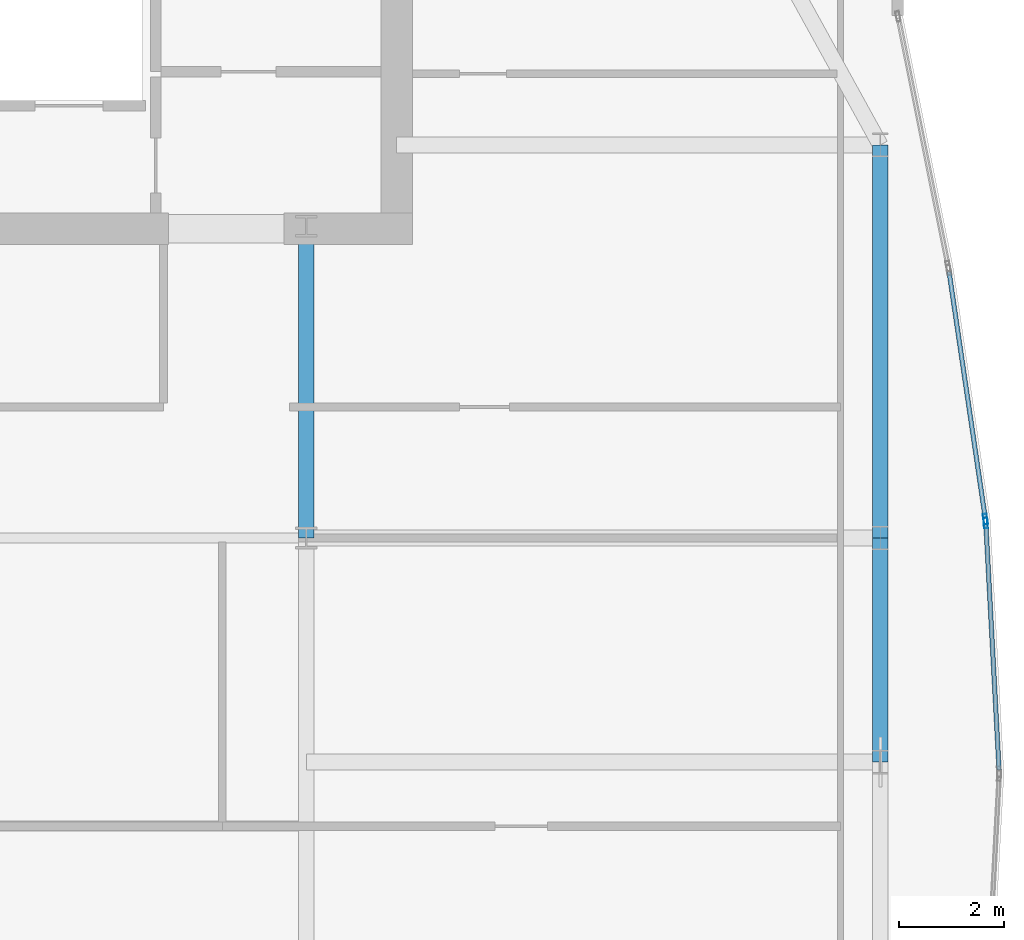
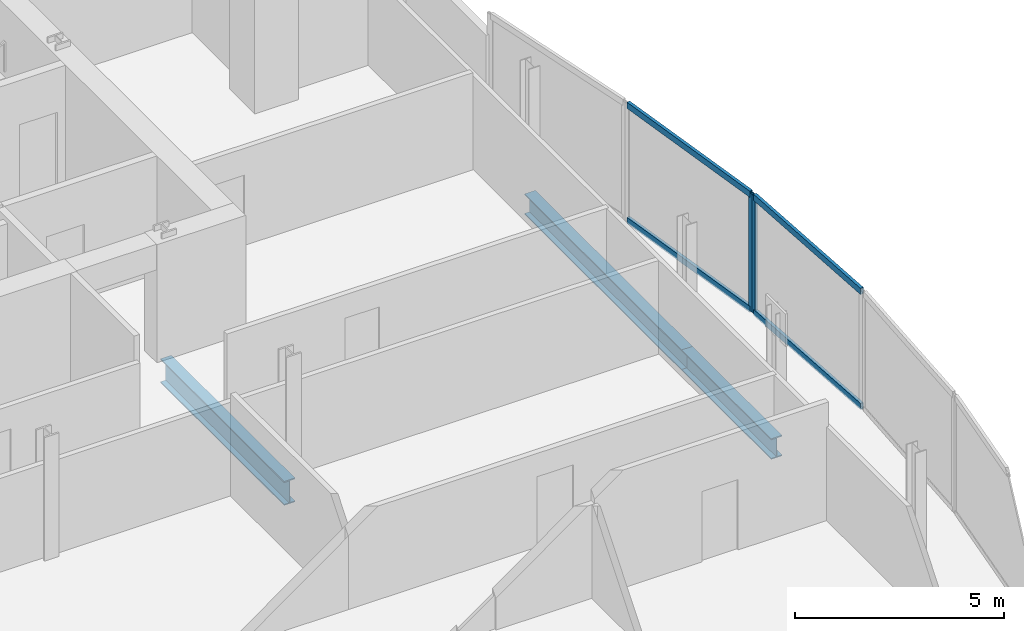
# One storey, part 19 of 30: 6 members, 3 beams, 2 elements without a shape of their own.
"""IFC4 building model written with IfcOpenShell, lengths in metres."""

from ifc_helpers import new_model, si_unit, direction, frame, origin, origin_2d, place, context, subcontext, project, spatial, hollow_rectangle, i_section, extrude, material, material_profile, profile_set, type_object, element, aggregate, save


model = new_model("IFC4")

# Units and contexts
model_context = context("Model", 3, precision=1e-05, world=origin(), true_north=direction((0.0, 1.0)))
body_context = subcontext(model_context, "Body", "Model", "MODEL_VIEW")
ifc_project = project(units=[si_unit("LENGTHUNIT", "METRE"), si_unit("AREAUNIT", "SQUARE_METRE"), si_unit("VOLUMEUNIT", "CUBIC_METRE"), si_unit("PLANEANGLEUNIT", "RADIAN"), si_unit("MASSUNIT", "GRAM", prefix="KILO")], contexts=[model_context])

# Site, building, storey
site_placement = place(None, origin())
site = spatial("IfcSite", under=ifc_project, at=site_placement, CompositionType="ELEMENT")
building_placement = place(site_placement, origin())
building = spatial("IfcBuilding", under=site, at=building_placement, Name="Khoronbel Lancet Exchange", CompositionType="ELEMENT")
storey_placement = place(building_placement, frame((0.0, 0.0, 206.60009765625)))
storey = spatial("IfcBuildingStorey", under=building, at=storey_placement, Name="L52", CompositionType="ELEMENT", Elevation=206.60009765625)

# Beams
ifc_material_1 = material(Name="Steel S355", Category="steel")
ifc_material_profile_1 = material_profile(ifc_material_1, i_section(OverallWidth=0.300048828125, OverallDepth=0.699951171875, WebThickness=0.01708984375, FlangeThickness=0.031982421875, at=origin_2d()), Name="HEB 700")
ifc_profile_set_1 = profile_set([ifc_material_profile_1], Name="Steel S355")
beam_type_1 = type_object("IfcBeamType", Name="BM-BG3", PredefinedType="BEAM", material=ifc_profile_set_1)
beam_1_placement = place(storey_placement, frame((54.675048828125, 35.699951171875, -0.510009765625), z_axis=(0.0, 1.0, 0.0), x_axis=(-1.0, 0.0, 0.0)))
element("IfcBeam", 1, at=beam_1_placement, inside=storey, type_object=beam_type_1, Name="Level L52 spine tie girder GN6", PredefinedType="BEAM", context=body_context, shape_type="SweptSolid", body=[
    extrude(i_section(OverallWidth=0.300048828125, OverallDepth=0.699951171875, WebThickness=0.01708984375, FlangeThickness=0.031982421875, at=origin_2d()), origin(), (0.0, 0.0, 1.0), 5.900146484375),
])
ifc_material_profile_2 = material_profile(ifc_material_1, i_section(OverallWidth=0.300048828125, OverallDepth=0.60009765625, WebThickness=0.015380859375, FlangeThickness=0.030029296875, at=origin_2d()), Name="HEB 600")
ifc_profile_set_2 = profile_set([ifc_material_profile_2], Name="Steel S355")
beam_type_2 = type_object("IfcBeamType", Name="BM-BSP2", PredefinedType="SPANDREL", material=ifc_profile_set_2)
beam_2_placement = place(storey_placement, frame((65.6298828125, 31.425048828125, -0.460205078125), z_axis=(0.0, 1.0, 0.0), x_axis=(-1.0, 0.0, 0.0)))
element("IfcBeam", 2, at=beam_2_placement, inside=storey, type_object=beam_type_2, Name="Level L52 perimeter spandrel beam SP13", PredefinedType="SPANDREL", context=body_context, shape_type="SweptSolid", body=[
    extrude(i_section(OverallWidth=0.300048828125, OverallDepth=0.60009765625, WebThickness=0.015380859375, FlangeThickness=0.030029296875, at=origin_2d()), origin(), (0.0, 0.0, 1.0), 4.27490234375),
])
beam_3_placement = place(storey_placement, frame((65.6298828125, 35.699951171875, -0.460205078125), z_axis=(0.0, 1.0, 0.0), x_axis=(-1.0, 0.0, 0.0)))
element("IfcBeam", 3, at=beam_3_placement, inside=storey, type_object=beam_type_2, Name="Level L52 perimeter spandrel beam SP14", PredefinedType="SPANDREL", context=body_context, shape_type="SweptSolid", body=[
    extrude(i_section(OverallWidth=0.300048828125, OverallDepth=0.60009765625, WebThickness=0.015380859375, FlangeThickness=0.030029296875, at=origin_2d()), origin(), (0.0, 0.0, 1.0), 7.5),
])

# Curtain wall, member
ifc_material_2 = material(Name="Low-E Solar Control Insulating Glass", Category="glass")
curtain_wall_type = type_object("IfcCurtainWallType", Name="CW-4", PredefinedType="NOTDEFINED", material=ifc_material_2)
curtain_wall_1_placement = place(storey_placement, origin())
curtain_wall_1 = element("IfcCurtainWall", 4, at=curtain_wall_1_placement, inside=storey, type_object=curtain_wall_type, Name="Unitised curtain wall CW-L52-E18", PredefinedType="NOTDEFINED")
ifc_material_3 = material(Name="Bronze-Anodised Aluminium 6063-T6", Category="aluminium")
ifc_material_profile_3 = material_profile(ifc_material_3, hollow_rectangle(XDim=0.074951171875, YDim=0.199951171875, WallThickness=0.0048828125, at=origin_2d()), Name="ALU MULLION 75x200")
ifc_profile_set_3 = profile_set([ifc_material_profile_3], Name="Bronze-Anodised Aluminium 6063-T6")
member_type_1 = type_object("IfcMemberType", Name="MEM-CWM2", PredefinedType="MULLION", material=ifc_profile_set_3)
member_1_placement = place(storey_placement, frame((67.635009765625, 36.0615234375, 0.0), z_axis=(0.0, 0.0, 1.0), x_axis=(0.989378391213, 0.145362990476, 0.0)))
member_1 = element("IfcMember", 5, at=member_1_placement, type_object=member_type_1, Name="CW4 mullion 2", PredefinedType="MULLION", context=body_context, shape_type="SweptSolid", body=[
    extrude(hollow_rectangle(XDim=0.074951171875, YDim=0.199951171875, WallThickness=0.0048828125, at=origin_2d()), origin(), (0.0, 0.0, 1.0), 3.43994140625),
])

curtain_wall_2_placement = place(storey_placement, origin())
curtain_wall_2 = element("IfcCurtainWall", 6, at=curtain_wall_2_placement, inside=storey, type_object=curtain_wall_type, Name="Unitised curtain wall CW-L52-E19", PredefinedType="NOTDEFINED")
member_2_placement = place(storey_placement, frame((67.642333984375, 35.98681640625, 0.0), z_axis=(0.0, 0.0, 1.0), x_axis=(0.998557549659, 0.053691899007, 0.0)))
member_2 = element("IfcMember", 7, at=member_2_placement, type_object=member_type_1, Name="CW4 mullion 1", PredefinedType="MULLION", context=body_context, shape_type="SweptSolid", body=[
    extrude(hollow_rectangle(XDim=0.074951171875, YDim=0.199951171875, WallThickness=0.0048828125, at=origin_2d()), origin(), (0.0, 0.0, 1.0), 3.43994140625),
])

# Member
ifc_material_profile_4 = material_profile(ifc_material_3, hollow_rectangle(XDim=0.0849609375, YDim=0.179931640625, WallThickness=0.0048828125, at=origin_2d()), Name="ALU TRANSOM 85x180")
ifc_profile_set_4 = profile_set([ifc_material_profile_4], Name="Bronze-Anodised Aluminium 6063-T6")
member_type_2 = type_object("IfcMemberType", Name="MEM-CWT1", PredefinedType="USERDEFINED", material=ifc_profile_set_4)
member_3_placement = place(storey_placement, frame((66.942138671875, 40.777099609375, 0.04248046875), z_axis=(0.145330495171, -0.989383164994, 0.0), x_axis=(0.989383164994, 0.145330495171, 0.0)))
member_3 = element("IfcMember", 8, at=member_3_placement, type_object=member_type_2, Name="CW4 transom 1.1", ObjectType="TRANSOM", PredefinedType="USERDEFINED", context=body_context, shape_type="SweptSolid", body=[
    extrude(hollow_rectangle(XDim=0.0849609375, YDim=0.179931640625, WallThickness=0.0048828125, at=origin_2d()), origin(), (0.0, 0.0, 1.0), 4.72900390625),
])

member_4_placement = place(storey_placement, frame((66.942138671875, 40.777099609375, 3.3974609375), z_axis=(0.145330495171, -0.989383164994, 0.0), x_axis=(0.989383164994, 0.145330495171, 0.0)))
member_4 = element("IfcMember", 9, at=member_4_placement, type_object=member_type_2, Name="CW4 transom 1.2", ObjectType="TRANSOM", PredefinedType="USERDEFINED", context=body_context, shape_type="SweptSolid", body=[
    extrude(hollow_rectangle(XDim=0.0849609375, YDim=0.179931640625, WallThickness=0.0048828125, at=origin_2d()), origin(), (0.0, 0.0, 1.0), 4.72900390625),
])

aggregate(curtain_wall_1, [member_1, member_3, member_4])

member_5_placement = place(storey_placement, frame((67.64453125, 35.949462890625, 0.04248046875), z_axis=(0.053664658974, -0.998559013968, 0.0), x_axis=(0.998559013968, 0.053664658974, 0.0)))
member_5 = element("IfcMember", 10, at=member_5_placement, type_object=member_type_2, Name="CW4 transom 1.1", ObjectType="TRANSOM", PredefinedType="USERDEFINED", context=body_context, shape_type="SweptSolid", body=[
    extrude(hollow_rectangle(XDim=0.0849609375, YDim=0.179931640625, WallThickness=0.0048828125, at=origin_2d()), origin(), (0.0, 0.0, 1.0), 4.681396484375),
])

member_6_placement = place(storey_placement, frame((67.64453125, 35.949462890625, 3.3974609375), z_axis=(0.053664658974, -0.998559013968, 0.0), x_axis=(0.998559013968, 0.053664658974, 0.0)))
member_6 = element("IfcMember", 11, at=member_6_placement, type_object=member_type_2, Name="CW4 transom 1.2", ObjectType="TRANSOM", PredefinedType="USERDEFINED", context=body_context, shape_type="SweptSolid", body=[
    extrude(hollow_rectangle(XDim=0.0849609375, YDim=0.179931640625, WallThickness=0.0048828125, at=origin_2d()), origin(), (0.0, 0.0, 1.0), 4.681396484375),
])

aggregate(curtain_wall_2, [member_2, member_5, member_6])

save(model, "model.ifc")
